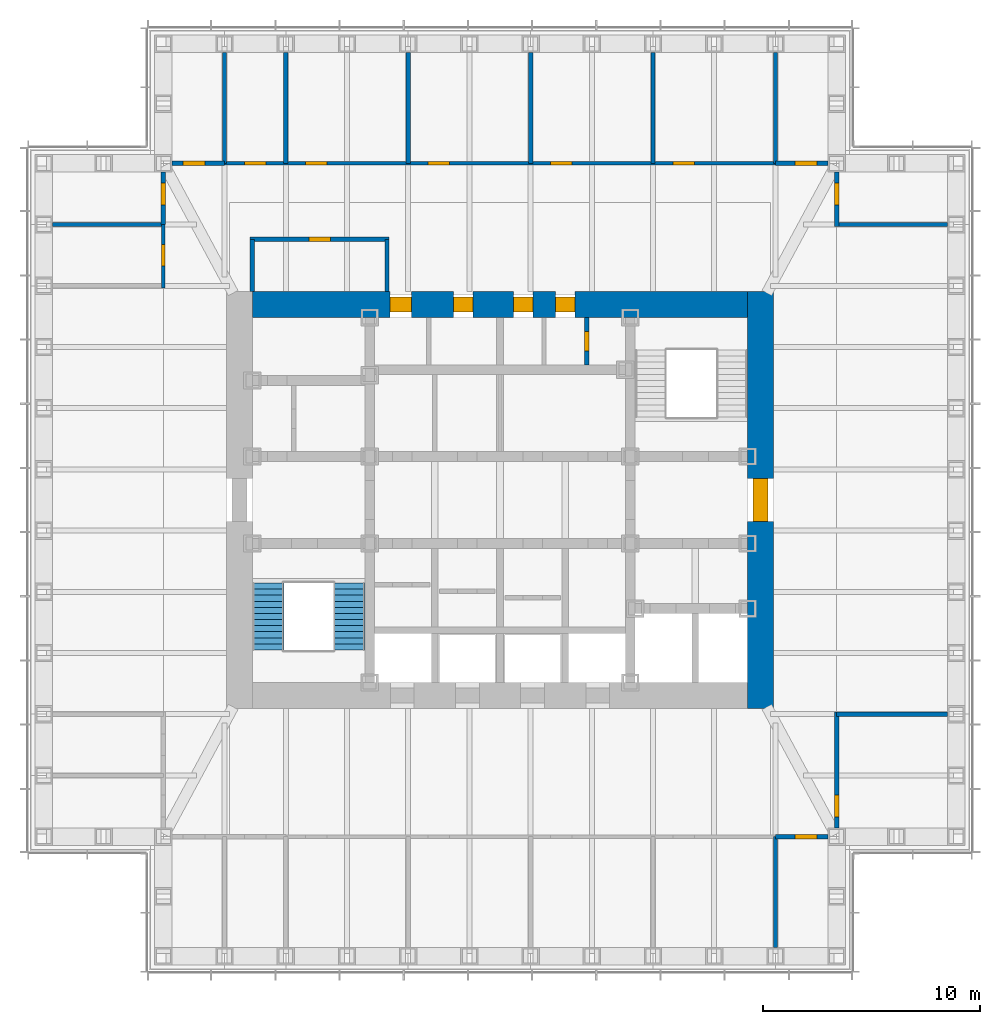
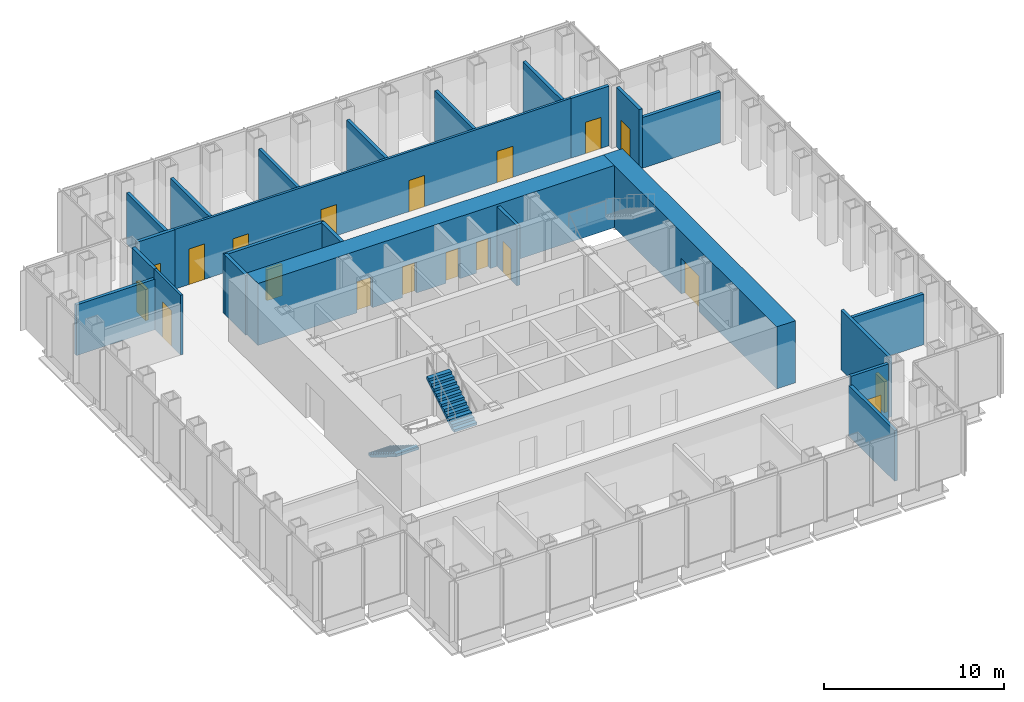
# One storey, part 10 of 17: 24 walls, 19 doors, 2 stair flights, 19 openings, 1 element without a shape of its own.
"""IFC4 building model written with IfcOpenShell, lengths in metres."""

from ifc_helpers import new_model, si_unit, direction, frame, frame_2d, origin, place, context, subcontext, project, spatial, polyline, rectangle, outline, extrude, material, layer, layer_set, type_object, element, fill, aggregate, save


model = new_model("IFC4")

# Units and contexts
model_context = context("Model", 3, precision=1e-05, world=origin(), true_north=direction((0.0, 1.0)))
body_context = subcontext(model_context, "Body", "Model", "MODEL_VIEW")
ifc_project = project(units=[si_unit("LENGTHUNIT", "METRE"), si_unit("AREAUNIT", "SQUARE_METRE"), si_unit("VOLUMEUNIT", "CUBIC_METRE"), si_unit("PLANEANGLEUNIT", "RADIAN"), si_unit("MASSUNIT", "GRAM", prefix="KILO")], contexts=[model_context])

# Site, building, storey
site_placement = place(None, origin())
site = spatial("IfcSite", under=ifc_project, at=site_placement, CompositionType="ELEMENT")
building_placement = place(site_placement, origin())
building = spatial("IfcBuilding", under=site, at=building_placement, Name="Daluyong Arena Tower", CompositionType="ELEMENT")
storey_placement = place(building_placement, frame((0.0, 0.0, 223.300048828125)))
storey = spatial("IfcBuildingStorey", under=building, at=storey_placement, Name="L50", CompositionType="ELEMENT", Elevation=223.300048828125)

# Wall, opening, door
ifc_material_1 = material(Name="Concrete fc' 60 MPa", Category="concrete")
ifc_layer_1 = layer(ifc_material_1, 1.199951171875)
ifc_layer_set_1 = layer_set([ifc_layer_1], Name="Concrete fc' 60 MPa")
wall_type_1 = type_object("IfcWallType", Name="Core wall 1200", PredefinedType="SHEAR", material=ifc_layer_set_1)
wall_1_placement = place(storey_placement, frame((68.0, 70.39990234375, 0.0), z_axis=(0.0, 0.0, 1.0), x_axis=(0.0, 1.0, 0.0)))
wall_1 = element("IfcWall", 1, at=wall_1_placement, inside=storey, type_object=wall_type_1, Name="core wall at L50", PredefinedType="SHEAR", context=body_context, shape_type="SweptSolid", body=[
    extrude(rectangle(XDim=19.2001953125, YDim=1.199951171875, at=frame_2d((9.60009765625, 0.0))), origin(), (0.0, 0.0, 1.0), 4.199951171875),
])
opening_1_placement = place(wall_1_placement, frame((8.60009765625, 0.0, 0.0)))
opening_1 = element("IfcOpeningElement", 2, at=opening_1_placement, cuts=wall_1, Name="Opening 50023", PredefinedType="OPENING", context=body_context, shape_type="SweptSolid", body=[
    extrude(rectangle(XDim=2.0, YDim=2.39990234375, at=frame_2d((1.0, 1.199951171875))), frame((0.0, 0.60986328125, 0.0), z_axis=(0.0, -1.0, 0.0), x_axis=(1.0, 0.0, 0.0)), (0.0, 0.0, 1.0), 1.219970703125),
])
ifc_material_2 = material(Name="Steel door, fire rated", Category="steel")
door_type_1 = type_object("IfcDoorType", Name="Core lobby double door 2000", OperationType="DOUBLE_DOOR_SINGLE_SWING", PredefinedType="DOOR", material=ifc_material_2)
door_1_placement = place(opening_1_placement, origin())
door_1 = element("IfcDoor", 3, at=door_1_placement, inside=storey, type_object=door_type_1, Name="core lobby door east 50023", OperationType="DOUBLE_DOOR_SINGLE_SWING", OverallHeight=2.39990234375, OverallWidth=2.0, PredefinedType="DOOR", context=body_context, shape_type="SweptSolid", body=[
    extrude(rectangle(XDim=2.0, YDim=2.39990234375, at=frame_2d((1.0, 1.199951171875))), frame((0.0, 0.35009765625, 0.0), z_axis=(0.0, -1.0, 0.0), x_axis=(1.0, 0.0, 0.0)), (0.0, 0.0, 1.0), 0.699951171875),
])
fill(opening_1, door_1)

# Wall, openings, doors
wall_2_placement = place(storey_placement, frame((44.60009765625, 89.0, 0.0), z_axis=(0.0, 0.0, 1.0), x_axis=(1.0, 0.0, 0.0)))
wall_2 = element("IfcWall", 4, at=wall_2_placement, inside=storey, type_object=wall_type_1, Name="core wall at L50", PredefinedType="SHEAR", context=body_context, shape_type="SweptSolid", body=[
    extrude(rectangle(XDim=22.7998046875, YDim=1.199951171875, at=frame_2d((11.39990234375, 0.0))), origin(), (0.0, 0.0, 1.0), 4.199951171875),
])
opening_2_placement = place(wall_2_placement, frame((6.324951171875, 0.0, 0.0)))
opening_2 = element("IfcOpeningElement", 5, at=opening_2_placement, cuts=wall_2, Name="Opening 50004", PredefinedType="OPENING", context=body_context, shape_type="SweptSolid", body=[
    extrude(rectangle(XDim=1.0, YDim=2.10009765625, at=frame_2d((0.5, 1.050048828125))), frame((0.0, 0.60986328125, 0.0), z_axis=(0.0, -1.0, 0.0), x_axis=(1.0, 0.0, 0.0)), (0.0, 0.0, 1.0), 1.219970703125),
])
opening_3_placement = place(wall_2_placement, frame((9.25, 0.0, 0.0)))
opening_3 = element("IfcOpeningElement", 6, at=opening_3_placement, cuts=wall_2, Name="Opening 50005", PredefinedType="OPENING", context=body_context, shape_type="SweptSolid", body=[
    extrude(rectangle(XDim=0.89990234375, YDim=2.10009765625, at=frame_2d((0.449951171875, 1.050048828125))), frame((0.0, 0.60986328125, 0.0), z_axis=(0.0, -1.0, 0.0), x_axis=(1.0, 0.0, 0.0)), (0.0, 0.0, 1.0), 1.219970703125),
])
opening_4_placement = place(wall_2_placement, frame((12.02490234375, 0.0, 0.0)))
opening_4 = element("IfcOpeningElement", 7, at=opening_4_placement, cuts=wall_2, Name="Opening 50006", PredefinedType="OPENING", context=body_context, shape_type="SweptSolid", body=[
    extrude(rectangle(XDim=0.89990234375, YDim=2.10009765625, at=frame_2d((0.449951171875, 1.050048828125))), frame((0.0, 0.60986328125, 0.0), z_axis=(0.0, -1.0, 0.0), x_axis=(1.0, 0.0, 0.0)), (0.0, 0.0, 1.0), 1.219970703125),
])
opening_5_placement = place(wall_2_placement, frame((13.96240234375, 0.0, 0.0)))
opening_5 = element("IfcOpeningElement", 8, at=opening_5_placement, cuts=wall_2, Name="Opening 50007", PredefinedType="OPENING", context=body_context, shape_type="SweptSolid", body=[
    extrude(rectangle(XDim=0.89990234375, YDim=2.10009765625, at=frame_2d((0.449951171875, 1.050048828125))), frame((0.0, 0.60986328125, 0.0), z_axis=(0.0, -1.0, 0.0), x_axis=(1.0, 0.0, 0.0)), (0.0, 0.0, 1.0), 1.219970703125),
])
ifc_material_3 = material(Name="Timber door", Category="wood")
door_type_2 = type_object("IfcDoorType", Name="Accessible toilet door 1000", OperationType="SINGLE_SWING_LEFT", PredefinedType="DOOR", material=ifc_material_3)
door_2_placement = place(opening_2_placement, origin())
door_2 = element("IfcDoor", 9, at=door_2_placement, inside=storey, type_object=door_type_2, Name="accessible toilet door 50004", OperationType="SINGLE_SWING_LEFT", OverallHeight=2.10009765625, OverallWidth=1.0, PredefinedType="DOOR", context=body_context, shape_type="SweptSolid", body=[
    extrude(rectangle(XDim=1.0, YDim=2.10009765625, at=frame_2d((0.5, 1.050048828125))), frame((0.0, 0.35009765625, 0.0), z_axis=(0.0, -1.0, 0.0), x_axis=(1.0, 0.0, 0.0)), (0.0, 0.0, 1.0), 0.699951171875),
])
fill(opening_2, door_2)
ifc_material_4 = material(Name="Steel door, fire rated", Category="steel")
door_type_3 = type_object("IfcDoorType", Name="Core room door 900", OperationType="SINGLE_SWING_LEFT", PredefinedType="DOOR", material=ifc_material_4)
door_3_placement = place(opening_4_placement, origin())
door_3 = element("IfcDoor", 10, at=door_3_placement, inside=storey, type_object=door_type_3, Name="staff pantry door 50006", OperationType="SINGLE_SWING_LEFT", OverallHeight=2.10009765625, OverallWidth=0.89990234375, PredefinedType="DOOR", context=body_context, shape_type="SweptSolid", body=[
    extrude(rectangle(XDim=0.89990234375, YDim=2.10009765625, at=frame_2d((0.449951171875, 1.050048828125))), frame((0.0, 0.35009765625, 0.0), z_axis=(0.0, -1.0, 0.0), x_axis=(1.0, 0.0, 0.0)), (0.0, 0.0, 1.0), 0.699951171875),
])
fill(opening_4, door_3)
ifc_material_5 = material(Name="Steel door, fire rated", Category="steel")
door_type_4 = type_object("IfcDoorType", Name="Core store door 900", OperationType="SINGLE_SWING_LEFT", PredefinedType="DOOR", material=ifc_material_5)
door_4_placement = place(opening_3_placement, origin())
door_4 = element("IfcDoor", 11, at=door_4_placement, inside=storey, type_object=door_type_4, Name="facilities store door 50005", OperationType="SINGLE_SWING_LEFT", OverallHeight=2.10009765625, OverallWidth=0.89990234375, PredefinedType="DOOR", context=body_context, shape_type="SweptSolid", body=[
    extrude(rectangle(XDim=0.89990234375, YDim=2.10009765625, at=frame_2d((0.449951171875, 1.050048828125))), frame((0.0, 0.35009765625, 0.0), z_axis=(0.0, -1.0, 0.0), x_axis=(1.0, 0.0, 0.0)), (0.0, 0.0, 1.0), 0.699951171875),
])
fill(opening_3, door_4)
ifc_material_6 = material(Name="Steel door, fire rated", Category="steel")
door_type_5 = type_object("IfcDoorType", Name="Plant room door 900", OperationType="SINGLE_SWING_LEFT", PredefinedType="DOOR", material=ifc_material_6)
door_5_placement = place(opening_5_placement, origin())
door_5 = element("IfcDoor", 12, at=door_5_placement, inside=storey, type_object=door_type_5, Name="comms room door 50007", OperationType="SINGLE_SWING_LEFT", OverallHeight=2.10009765625, OverallWidth=0.89990234375, PredefinedType="DOOR", context=body_context, shape_type="SweptSolid", body=[
    extrude(rectangle(XDim=0.89990234375, YDim=2.10009765625, at=frame_2d((0.449951171875, 1.050048828125))), frame((0.0, 0.35009765625, 0.0), z_axis=(0.0, -1.0, 0.0), x_axis=(1.0, 0.0, 0.0)), (0.0, 0.0, 1.0), 0.699951171875),
])
fill(opening_5, door_5)

# Wall, opening, door
ifc_material_7 = material(Name="Concrete block partition, fire rated", Category="concrete")
ifc_layer_2 = layer(ifc_material_7, 0.199951171875)
ifc_layer_set_2 = layer_set([ifc_layer_2], Name="Concrete block partition, fire rated")
wall_type_2 = type_object("IfcWallType", Name="Fire-rated partition 200", PredefinedType="PARTITIONING", material=ifc_layer_set_2)
wall_3_placement = place(storey_placement, frame((60.0, 86.22509765625, 0.0), z_axis=(0.0, 0.0, 1.0), x_axis=(0.0, 1.0, 0.0)))
wall_3 = element("IfcWall", 13, at=wall_3_placement, inside=storey, type_object=wall_type_2, Name="electrical riser enclosure at L50", PredefinedType="PARTITIONING", context=body_context, shape_type="SweptSolid", body=[
    extrude(rectangle(XDim=2.1748046875, YDim=0.199951171875, at=frame_2d((1.08740234375, 0.0))), origin(), (0.0, 0.0, 1.0), 4.0400390625),
])
opening_6_placement = place(wall_3_placement, frame((0.637451171875, 0.0, 0.0)))
opening_6 = element("IfcOpeningElement", 14, at=opening_6_placement, cuts=wall_3, Name="Opening 50008", PredefinedType="OPENING", context=body_context, shape_type="SweptSolid", body=[
    extrude(rectangle(XDim=0.89990234375, YDim=2.10009765625, at=frame_2d((0.449951171875, 1.050048828125))), frame((0.0, 0.10986328125, 0.0), z_axis=(0.0, -1.0, 0.0), x_axis=(1.0, 0.0, 0.0)), (0.0, 0.0, 1.0), 0.219970703125),
])
ifc_material_8 = material(Name="Steel door, fire rated", Category="steel")
door_type_6 = type_object("IfcDoorType", Name="Riser door 900", OperationType="SINGLE_SWING_LEFT", PredefinedType="DOOR", material=ifc_material_8)
door_6_placement = place(opening_6_placement, origin())
door_6 = element("IfcDoor", 15, at=door_6_placement, inside=storey, type_object=door_type_6, Name="riser door 50008", OperationType="SINGLE_SWING_LEFT", OverallHeight=2.10009765625, OverallWidth=0.89990234375, PredefinedType="DOOR", context=body_context, shape_type="SweptSolid", body=[
    extrude(rectangle(XDim=0.89990234375, YDim=2.10009765625, at=frame_2d((0.449951171875, 1.050048828125))), frame((0.0, 0.099609375, 0.0), z_axis=(0.0, -1.0, 0.0), x_axis=(1.0, 0.0, 0.0)), (0.0, 0.0, 1.0), 0.199462890625),
])
fill(opening_6, door_6)

# Wall, openings, doors
ifc_material_9 = material(Name="Glazed aluminium partition", Category="aluminium")
ifc_layer_3 = layer(ifc_material_9, 0.14990234375)
ifc_layer_set_3 = layer_set([ifc_layer_3], Name="Glazed aluminium partition")
wall_type_3 = type_object("IfcWallType", Name="Glazed partition 150", PredefinedType="PARTITIONING", material=ifc_layer_set_3)
wall_4_placement = place(storey_placement, frame((43.318115234375, 95.5, 0.0), z_axis=(0.0, 0.0, 1.0), x_axis=(1.0, 0.0, 0.0)))
wall_4 = element("IfcWall", 16, at=wall_4_placement, inside=storey, type_object=wall_type_3, Name="glazed partition at L50", PredefinedType="PARTITIONING", context=body_context, shape_type="SweptSolid", body=[
    extrude(rectangle(XDim=25.36376953125, YDim=0.14990234375, at=frame_2d((12.681884765625, 0.0))), origin(), (0.0, 0.0, 1.0), 4.0400390625),
])
opening_7_placement = place(wall_4_placement, frame((0.9091796875, 0.0, 0.0)))
opening_7 = element("IfcOpeningElement", 17, at=opening_7_placement, cuts=wall_4, Name="Opening 50043", PredefinedType="OPENING", context=body_context, shape_type="SweptSolid", body=[
    extrude(rectangle(XDim=1.0, YDim=2.39990234375, at=frame_2d((0.5, 1.199951171875))), frame((0.0, 0.0849609375, 0.0), z_axis=(0.0, -1.0, 0.0), x_axis=(1.0, 0.0, 0.0)), (0.0, 0.0, 1.0), 0.169921875),
])
opening_8_placement = place(wall_4_placement, frame((3.727294921875, 0.0, 0.0)))
opening_8 = element("IfcOpeningElement", 18, at=opening_8_placement, cuts=wall_4, Name="Opening 50044", PredefinedType="OPENING", context=body_context, shape_type="SweptSolid", body=[
    extrude(rectangle(XDim=1.0, YDim=2.10009765625, at=frame_2d((0.5, 1.050048828125))), frame((0.0, 0.0849609375, 0.0), z_axis=(0.0, -1.0, 0.0), x_axis=(1.0, 0.0, 0.0)), (0.0, 0.0, 1.0), 0.169921875),
])
opening_9_placement = place(wall_4_placement, frame((9.363525390625, 0.0, 0.0)))
opening_9 = element("IfcOpeningElement", 19, at=opening_9_placement, cuts=wall_4, Name="Opening 50045", PredefinedType="OPENING", context=body_context, shape_type="SweptSolid", body=[
    extrude(rectangle(XDim=1.0, YDim=2.10009765625, at=frame_2d((0.5, 1.050048828125))), frame((0.0, 0.0849609375, 0.0), z_axis=(0.0, -1.0, 0.0), x_axis=(1.0, 0.0, 0.0)), (0.0, 0.0, 1.0), 0.169921875),
])
opening_10_placement = place(wall_4_placement, frame((15.0, 0.0, 0.0)))
opening_10 = element("IfcOpeningElement", 20, at=opening_10_placement, cuts=wall_4, Name="Opening 50046", PredefinedType="OPENING", context=body_context, shape_type="SweptSolid", body=[
    extrude(rectangle(XDim=1.0, YDim=2.10009765625, at=frame_2d((0.5, 1.050048828125))), frame((0.0, 0.0849609375, 0.0), z_axis=(0.0, -1.0, 0.0), x_axis=(1.0, 0.0, 0.0)), (0.0, 0.0, 1.0), 0.169921875),
])
opening_11_placement = place(wall_4_placement, frame((20.636474609375, 0.0, 0.0)))
opening_11 = element("IfcOpeningElement", 21, at=opening_11_placement, cuts=wall_4, Name="Opening 50047", PredefinedType="OPENING", context=body_context, shape_type="SweptSolid", body=[
    extrude(rectangle(XDim=1.0, YDim=2.10009765625, at=frame_2d((0.5, 1.050048828125))), frame((0.0, 0.0849609375, 0.0), z_axis=(0.0, -1.0, 0.0), x_axis=(1.0, 0.0, 0.0)), (0.0, 0.0, 1.0), 0.169921875),
])
ifc_material_10 = material(Name="Glazed aluminium door", Category="aluminium")
door_type_7 = type_object("IfcDoorType", Name="Meeting room glazed door 1000", OperationType="SINGLE_SWING_RIGHT", PredefinedType="DOOR", material=ifc_material_10)
door_7_placement = place(opening_7_placement, origin())
door_7 = element("IfcDoor", 22, at=door_7_placement, inside=storey, type_object=door_type_7, Name="focus room door 50043", OperationType="SINGLE_SWING_RIGHT", OverallHeight=2.39990234375, OverallWidth=1.0, PredefinedType="DOOR", context=body_context, shape_type="SweptSolid", body=[
    extrude(rectangle(XDim=1.0, YDim=2.39990234375, at=frame_2d((0.5, 1.199951171875))), frame((0.0, 0.07470703125, 0.0), z_axis=(0.0, -1.0, 0.0), x_axis=(1.0, 0.0, 0.0)), (0.0, 0.0, 1.0), 0.1494140625),
])
fill(opening_7, door_7)
ifc_material_11 = material(Name="Timber door", Category="wood")
door_type_8 = type_object("IfcDoorType", Name="Room door 1000", OperationType="SINGLE_SWING_LEFT", PredefinedType="DOOR", material=ifc_material_11)
door_8_placement = place(opening_8_placement, origin())
door_8 = element("IfcDoor", 23, at=door_8_placement, inside=storey, type_object=door_type_8, Name="office door 50044", OperationType="SINGLE_SWING_LEFT", OverallHeight=2.10009765625, OverallWidth=1.0, PredefinedType="DOOR", context=body_context, shape_type="SweptSolid", body=[
    extrude(rectangle(XDim=1.0, YDim=2.10009765625, at=frame_2d((0.5, 1.050048828125))), frame((0.0, 0.07470703125, 0.0), z_axis=(0.0, -1.0, 0.0), x_axis=(1.0, 0.0, 0.0)), (0.0, 0.0, 1.0), 0.1494140625),
])
fill(opening_8, door_8)
door_9_placement = place(opening_9_placement, origin())
door_9 = element("IfcDoor", 24, at=door_9_placement, inside=storey, type_object=door_type_8, Name="office door 50045", OperationType="SINGLE_SWING_LEFT", OverallHeight=2.10009765625, OverallWidth=1.0, PredefinedType="DOOR", context=body_context, shape_type="SweptSolid", body=[
    extrude(rectangle(XDim=1.0, YDim=2.10009765625, at=frame_2d((0.5, 1.050048828125))), frame((0.0, 0.07470703125, 0.0), z_axis=(0.0, -1.0, 0.0), x_axis=(1.0, 0.0, 0.0)), (0.0, 0.0, 1.0), 0.1494140625),
])
fill(opening_9, door_9)
door_10_placement = place(opening_10_placement, origin())
door_10 = element("IfcDoor", 25, at=door_10_placement, inside=storey, type_object=door_type_8, Name="office door 50046", OperationType="SINGLE_SWING_LEFT", OverallHeight=2.10009765625, OverallWidth=1.0, PredefinedType="DOOR", context=body_context, shape_type="SweptSolid", body=[
    extrude(rectangle(XDim=1.0, YDim=2.10009765625, at=frame_2d((0.5, 1.050048828125))), frame((0.0, 0.07470703125, 0.0), z_axis=(0.0, -1.0, 0.0), x_axis=(1.0, 0.0, 0.0)), (0.0, 0.0, 1.0), 0.1494140625),
])
fill(opening_10, door_10)
door_11_placement = place(opening_11_placement, origin())
door_11 = element("IfcDoor", 26, at=door_11_placement, inside=storey, type_object=door_type_8, Name="office door 50047", OperationType="SINGLE_SWING_LEFT", OverallHeight=2.10009765625, OverallWidth=1.0, PredefinedType="DOOR", context=body_context, shape_type="SweptSolid", body=[
    extrude(rectangle(XDim=1.0, YDim=2.10009765625, at=frame_2d((0.5, 1.050048828125))), frame((0.0, 0.07470703125, 0.0), z_axis=(0.0, -1.0, 0.0), x_axis=(1.0, 0.0, 0.0)), (0.0, 0.0, 1.0), 0.1494140625),
])
fill(opening_11, door_11)

# Wall, opening, door
wall_5_placement = place(storey_placement, frame((40.5, 89.763671875, 0.0), z_axis=(0.0, 0.0, 1.0), x_axis=(0.0, 1.0, 0.0)))
wall_5 = element("IfcWall", 27, at=wall_5_placement, inside=storey, type_object=wall_type_3, Name="glazed partition at L50", PredefinedType="PARTITIONING", context=body_context, shape_type="SweptSolid", body=[
    extrude(rectangle(XDim=2.918212890625, YDim=0.14990234375, at=frame_2d((1.458984375, 0.0))), origin(), (0.0, 0.0, 1.0), 4.0400390625),
])
opening_12_placement = place(wall_5_placement, frame((1.009033203125, 0.0, 0.0)))
opening_12 = element("IfcOpeningElement", 28, at=opening_12_placement, cuts=wall_5, Name="Opening 50051", PredefinedType="OPENING", context=body_context, shape_type="SweptSolid", body=[
    extrude(rectangle(XDim=1.0, YDim=2.39990234375, at=frame_2d((0.5, 1.199951171875))), frame((0.0, 0.0849609375, 0.0), z_axis=(0.0, -1.0, 0.0), x_axis=(1.0, 0.0, 0.0)), (0.0, 0.0, 1.0), 0.169921875),
])
door_12_placement = place(opening_12_placement, origin())
door_12 = element("IfcDoor", 29, at=door_12_placement, inside=storey, type_object=door_type_7, Name="focus room door 50051", OperationType="SINGLE_SWING_RIGHT", OverallHeight=2.39990234375, OverallWidth=1.0, PredefinedType="DOOR", context=body_context, shape_type="SweptSolid", body=[
    extrude(rectangle(XDim=1.0, YDim=2.39990234375, at=frame_2d((0.5, 1.199951171875))), frame((0.0, 0.07470703125, 0.0), z_axis=(0.0, -1.0, 0.0), x_axis=(1.0, 0.0, 0.0)), (0.0, 0.0, 1.0), 0.1494140625),
])
fill(opening_12, door_12)

# Walls
ifc_material_12 = material(Name="Concrete block partition", Category="concrete")
ifc_layer_4 = layer(ifc_material_12, 0.199951171875)
ifc_layer_set_4 = layer_set([ifc_layer_4], Name="Concrete block partition")
wall_type_4 = type_object("IfcWallType", Name="Partition 200", PredefinedType="PARTITIONING", material=ifc_layer_set_4)
for number, where, z_axis, x_axis, name in (
    (30, (68.681884765625, 59.39990234375, 0.0), (0.0, 0.0, 1.0), (0.0, 1.0, 0.0), "partition at L50"),
    (31, (71.5, 70.136474609375, 0.0), (0.0, 0.0, 1.0), (1.0, 0.0, 0.0), "partition at L50"),
    (32, (71.5, 92.681884765625, 0.0), (0.0, 0.0, 1.0), (1.0, 0.0, 0.0), "partition at L50"),
    (33, (43.318115234375, 95.5, 0.0), (0.0, 0.0, 1.0), (0.0, 1.0, 0.0), "partition at L50"),
    (34, (46.136474609375, 95.5, 0.0), (0.0, 0.0, 1.0), (0.0, 1.0, 0.0), "partition at L50"),
    (35, (51.772705078125, 95.5, 0.0), (0.0, 0.0, 1.0), (0.0, 1.0, 0.0), "partition at L50"),
    (36, (57.4091796875, 95.5, 0.0), (0.0, 0.0, 1.0), (0.0, 1.0, 0.0), "partition at L50"),
    (37, (63.04541015625, 95.5, 0.0), (0.0, 0.0, 1.0), (0.0, 1.0, 0.0), "partition at L50"),
    (38, (68.681884765625, 95.5, 0.0), (0.0, 0.0, 1.0), (0.0, 1.0, 0.0), "partition at L50"),
    (39, (35.39990234375, 92.681884765625, 0.0), (0.0, 0.0, 1.0), (1.0, 0.0, 0.0), "partition at L50"),
):
    element("IfcWall", number, at=place(storey_placement, frame(where, z_axis=z_axis, x_axis=x_axis)), inside=storey, type_object=wall_type_4, Name=name, PredefinedType="PARTITIONING", context=body_context, shape_type="SweptSolid", body=[
        extrude(rectangle(XDim=5.10009765625, YDim=0.199951171875, at=frame_2d((2.550048828125, 0.0))), origin(), (0.0, 0.0, 1.0), 3.427734375),
    ])
for number, where, z_axis, x_axis, name in (
    (40, (44.60009765625, 89.60009765625, 0.0), (0.0, 0.0, 1.0), (0.0, 1.0, 0.0), "partition at L50"),
    (41, (50.800048828125, 89.60009765625, 0.0), (0.0, 0.0, 1.0), (0.0, 1.0, 0.0), "partition at L50"),
):
    element("IfcWall", number, at=place(storey_placement, frame(where, z_axis=z_axis, x_axis=x_axis)), inside=storey, type_object=wall_type_4, Name=name, PredefinedType="PARTITIONING", context=body_context, shape_type="SweptSolid", body=[
        extrude(rectangle(XDim=2.39990234375, YDim=0.199951171875, at=frame_2d((1.199951171875, 0.0))), origin(), (0.0, 0.0, 1.0), 4.0400390625),
    ])

# Wall, opening, door
wall_6_placement = place(storey_placement, frame((68.681884765625, 64.5, 0.0), z_axis=(0.0, 0.0, 1.0), x_axis=(1.0, 0.0, 0.0)))
wall_6 = element("IfcWall", 42, at=wall_6_placement, inside=storey, type_object=wall_type_4, Name="partition at L50", PredefinedType="PARTITIONING", context=body_context, shape_type="SweptSolid", body=[
    extrude(rectangle(XDim=2.418212890625, YDim=0.199951171875, at=frame_2d((1.208984375, 0.0))), origin(), (0.0, 0.0, 1.0), 4.0400390625),
])
opening_13_placement = place(wall_6_placement, frame((0.9091796875, 0.0, 0.0)))
opening_13 = element("IfcOpeningElement", 43, at=opening_13_placement, cuts=wall_6, Name="Opening 50039", PredefinedType="OPENING", context=body_context, shape_type="SweptSolid", body=[
    extrude(rectangle(XDim=1.0, YDim=2.10009765625, at=frame_2d((0.5, 1.050048828125))), frame((0.0, 0.10986328125, 0.0), z_axis=(0.0, -1.0, 0.0), x_axis=(1.0, 0.0, 0.0)), (0.0, 0.0, 1.0), 0.219970703125),
])
door_13_placement = place(opening_13_placement, origin())
door_13 = element("IfcDoor", 44, at=door_13_placement, inside=storey, type_object=door_type_8, Name="quiet room door 50039", OperationType="SINGLE_SWING_LEFT", OverallHeight=2.10009765625, OverallWidth=1.0, PredefinedType="DOOR", context=body_context, shape_type="SweptSolid", body=[
    extrude(rectangle(XDim=1.0, YDim=2.10009765625, at=frame_2d((0.5, 1.050048828125))), frame((0.0, 0.099609375, 0.0), z_axis=(0.0, -1.0, 0.0), x_axis=(1.0, 0.0, 0.0)), (0.0, 0.0, 1.0), 0.199462890625),
])
fill(opening_13, door_13)

wall_7_placement = place(storey_placement, frame((44.5, 92.0, 0.0), z_axis=(0.0, 0.0, 1.0), x_axis=(1.0, 0.0, 0.0)))
wall_7 = element("IfcWall", 45, at=wall_7_placement, inside=storey, type_object=wall_type_4, Name="partition at L50", PredefinedType="PARTITIONING", context=body_context, shape_type="SweptSolid", body=[
    extrude(rectangle(XDim=6.39990234375, YDim=0.199951171875, at=frame_2d((3.199951171875, 0.0))), origin(), (0.0, 0.0, 1.0), 4.0400390625),
])
opening_14_placement = place(wall_7_placement, frame((2.699951171875, 0.0, 0.0)))
opening_14 = element("IfcOpeningElement", 46, at=opening_14_placement, cuts=wall_7, Name="Opening 50053", PredefinedType="OPENING", context=body_context, shape_type="SweptSolid", body=[
    extrude(rectangle(XDim=1.0, YDim=2.10009765625, at=frame_2d((0.5, 1.050048828125))), frame((0.0, 0.10986328125, 0.0), z_axis=(0.0, -1.0, 0.0), x_axis=(1.0, 0.0, 0.0)), (0.0, 0.0, 1.0), 0.219970703125),
])
door_14_placement = place(opening_14_placement, origin())
door_14 = element("IfcDoor", 47, at=door_14_placement, inside=storey, type_object=door_type_8, Name="pantry door 50053", OperationType="SINGLE_SWING_LEFT", OverallHeight=2.10009765625, OverallWidth=1.0, PredefinedType="DOOR", context=body_context, shape_type="SweptSolid", body=[
    extrude(rectangle(XDim=1.0, YDim=2.10009765625, at=frame_2d((0.5, 1.050048828125))), frame((0.0, 0.099609375, 0.0), z_axis=(0.0, -1.0, 0.0), x_axis=(1.0, 0.0, 0.0)), (0.0, 0.0, 1.0), 0.199462890625),
])
fill(opening_14, door_14)

wall_8_placement = place(storey_placement, frame((40.89990234375, 95.5, 0.0), z_axis=(0.0, 0.0, 1.0), x_axis=(1.0, 0.0, 0.0)))
wall_8 = element("IfcWall", 48, at=wall_8_placement, inside=storey, type_object=wall_type_4, Name="partition at L50", PredefinedType="PARTITIONING", context=body_context, shape_type="SweptSolid", body=[
    extrude(rectangle(XDim=2.418212890625, YDim=0.199951171875, at=frame_2d((1.208984375, 0.0))), origin(), (0.0, 0.0, 1.0), 4.0400390625),
])
opening_15_placement = place(wall_8_placement, frame((0.509033203125, 0.0, 0.0)))
opening_15 = element("IfcOpeningElement", 49, at=opening_15_placement, cuts=wall_8, Name="Opening 50042", PredefinedType="OPENING", context=body_context, shape_type="SweptSolid", body=[
    extrude(rectangle(XDim=1.0, YDim=2.10009765625, at=frame_2d((0.5, 1.050048828125))), frame((0.0, 0.10986328125, 0.0), z_axis=(0.0, -1.0, 0.0), x_axis=(1.0, 0.0, 0.0)), (0.0, 0.0, 1.0), 0.219970703125),
])
door_15_placement = place(opening_15_placement, origin())
door_15 = element("IfcDoor", 50, at=door_15_placement, inside=storey, type_object=door_type_8, Name="quiet room door 50042", OperationType="SINGLE_SWING_LEFT", OverallHeight=2.10009765625, OverallWidth=1.0, PredefinedType="DOOR", context=body_context, shape_type="SweptSolid", body=[
    extrude(rectangle(XDim=1.0, YDim=2.10009765625, at=frame_2d((0.5, 1.050048828125))), frame((0.0, 0.099609375, 0.0), z_axis=(0.0, -1.0, 0.0), x_axis=(1.0, 0.0, 0.0)), (0.0, 0.0, 1.0), 0.199462890625),
])
fill(opening_15, door_15)

wall_9_placement = place(storey_placement, frame((68.681884765625, 95.5, 0.0), z_axis=(0.0, 0.0, 1.0), x_axis=(1.0, 0.0, 0.0)))
wall_9 = element("IfcWall", 51, at=wall_9_placement, inside=storey, type_object=wall_type_4, Name="partition at L50", PredefinedType="PARTITIONING", context=body_context, shape_type="SweptSolid", body=[
    extrude(rectangle(XDim=2.418212890625, YDim=0.199951171875, at=frame_2d((1.208984375, 0.0))), origin(), (0.0, 0.0, 1.0), 4.0400390625),
])
opening_16_placement = place(wall_9_placement, frame((0.9091796875, 0.0, 0.0)))
opening_16 = element("IfcOpeningElement", 52, at=opening_16_placement, cuts=wall_9, Name="Opening 50048", PredefinedType="OPENING", context=body_context, shape_type="SweptSolid", body=[
    extrude(rectangle(XDim=1.0, YDim=2.10009765625, at=frame_2d((0.5, 1.050048828125))), frame((0.0, 0.10986328125, 0.0), z_axis=(0.0, -1.0, 0.0), x_axis=(1.0, 0.0, 0.0)), (0.0, 0.0, 1.0), 0.219970703125),
])
door_16_placement = place(opening_16_placement, origin())
door_16 = element("IfcDoor", 53, at=door_16_placement, inside=storey, type_object=door_type_8, Name="quiet room door 50048", OperationType="SINGLE_SWING_LEFT", OverallHeight=2.10009765625, OverallWidth=1.0, PredefinedType="DOOR", context=body_context, shape_type="SweptSolid", body=[
    extrude(rectangle(XDim=1.0, YDim=2.10009765625, at=frame_2d((0.5, 1.050048828125))), frame((0.0, 0.099609375, 0.0), z_axis=(0.0, -1.0, 0.0), x_axis=(1.0, 0.0, 0.0)), (0.0, 0.0, 1.0), 0.199462890625),
])
fill(opening_16, door_16)

wall_10_placement = place(storey_placement, frame((40.5, 92.681884765625, 0.0), z_axis=(0.0, 0.0, 1.0), x_axis=(0.0, 1.0, 0.0)))
wall_10 = element("IfcWall", 54, at=wall_10_placement, inside=storey, type_object=wall_type_4, Name="partition at L50", PredefinedType="PARTITIONING", context=body_context, shape_type="SweptSolid", body=[
    extrude(rectangle(XDim=2.418212890625, YDim=0.199951171875, at=frame_2d((1.208984375, 0.0))), origin(), (0.0, 0.0, 1.0), 4.0400390625),
])
opening_17_placement = place(wall_10_placement, frame((0.9091796875, 0.0, 0.0)))
opening_17 = element("IfcOpeningElement", 55, at=opening_17_placement, cuts=wall_10, Name="Opening 50052", PredefinedType="OPENING", context=body_context, shape_type="SweptSolid", body=[
    extrude(rectangle(XDim=1.0, YDim=2.10009765625, at=frame_2d((0.5, 1.050048828125))), frame((0.0, 0.10986328125, 0.0), z_axis=(0.0, -1.0, 0.0), x_axis=(1.0, 0.0, 0.0)), (0.0, 0.0, 1.0), 0.219970703125),
])
door_17_placement = place(opening_17_placement, origin())
door_17 = element("IfcDoor", 56, at=door_17_placement, inside=storey, type_object=door_type_8, Name="quiet room door 50052", OperationType="SINGLE_SWING_LEFT", OverallHeight=2.10009765625, OverallWidth=1.0, PredefinedType="DOOR", context=body_context, shape_type="SweptSolid", body=[
    extrude(rectangle(XDim=1.0, YDim=2.10009765625, at=frame_2d((0.5, 1.050048828125))), frame((0.0, 0.099609375, 0.0), z_axis=(0.0, -1.0, 0.0), x_axis=(1.0, 0.0, 0.0)), (0.0, 0.0, 1.0), 0.199462890625),
])
fill(opening_17, door_17)

wall_11_placement = place(storey_placement, frame((71.5, 64.89990234375, 0.0), z_axis=(0.0, 0.0, 1.0), x_axis=(0.0, 1.0, 0.0)))
wall_11 = element("IfcWall", 57, at=wall_11_placement, inside=storey, type_object=wall_type_4, Name="partition at L50", PredefinedType="PARTITIONING", context=body_context, shape_type="SweptSolid", body=[
    extrude(rectangle(XDim=5.33642578125, YDim=0.199951171875, at=frame_2d((2.668212890625, 0.0))), origin(), (0.0, 0.0, 1.0), 4.0400390625),
])
opening_18_placement = place(wall_11_placement, frame((0.509033203125, 0.0, 0.0)))
opening_18 = element("IfcOpeningElement", 58, at=opening_18_placement, cuts=wall_11, Name="Opening 50040", PredefinedType="OPENING", context=body_context, shape_type="SweptSolid", body=[
    extrude(rectangle(XDim=1.0, YDim=2.10009765625, at=frame_2d((0.5, 1.050048828125))), frame((0.0, 0.10986328125, 0.0), z_axis=(0.0, -1.0, 0.0), x_axis=(1.0, 0.0, 0.0)), (0.0, 0.0, 1.0), 0.219970703125),
])
door_18_placement = place(opening_18_placement, origin())
door_18 = element("IfcDoor", 59, at=door_18_placement, inside=storey, type_object=door_type_8, Name="project room door 50040", OperationType="SINGLE_SWING_LEFT", OverallHeight=2.10009765625, OverallWidth=1.0, PredefinedType="DOOR", context=body_context, shape_type="SweptSolid", body=[
    extrude(rectangle(XDim=1.0, YDim=2.10009765625, at=frame_2d((0.5, 1.050048828125))), frame((0.0, 0.099609375, 0.0), z_axis=(0.0, -1.0, 0.0), x_axis=(1.0, 0.0, 0.0)), (0.0, 0.0, 1.0), 0.199462890625),
])
fill(opening_18, door_18)

wall_12_placement = place(storey_placement, frame((71.5, 92.581787109375, 0.0), z_axis=(0.0, 0.0, 1.0), x_axis=(0.0, 1.0, 0.0)))
wall_12 = element("IfcWall", 60, at=wall_12_placement, inside=storey, type_object=wall_type_4, Name="partition at L50", PredefinedType="PARTITIONING", context=body_context, shape_type="SweptSolid", body=[
    extrude(rectangle(XDim=2.518310546875, YDim=0.199951171875, at=frame_2d((1.25927734375, 0.0))), origin(), (0.0, 0.0, 1.0), 4.0400390625),
])
opening_19_placement = place(wall_12_placement, frame((1.009033203125, 0.0, 0.0)))
opening_19 = element("IfcOpeningElement", 61, at=opening_19_placement, cuts=wall_12, Name="Opening 50041", PredefinedType="OPENING", context=body_context, shape_type="SweptSolid", body=[
    extrude(rectangle(XDim=1.0, YDim=2.10009765625, at=frame_2d((0.5, 1.050048828125))), frame((0.0, 0.10986328125, 0.0), z_axis=(0.0, -1.0, 0.0), x_axis=(1.0, 0.0, 0.0)), (0.0, 0.0, 1.0), 0.219970703125),
])
door_19_placement = place(opening_19_placement, origin())
door_19 = element("IfcDoor", 62, at=door_19_placement, inside=storey, type_object=door_type_8, Name="quiet room door 50041", OperationType="SINGLE_SWING_LEFT", OverallHeight=2.10009765625, OverallWidth=1.0, PredefinedType="DOOR", context=body_context, shape_type="SweptSolid", body=[
    extrude(rectangle(XDim=1.0, YDim=2.10009765625, at=frame_2d((0.5, 1.050048828125))), frame((0.0, 0.099609375, 0.0), z_axis=(0.0, -1.0, 0.0), x_axis=(1.0, 0.0, 0.0)), (0.0, 0.0, 1.0), 0.199462890625),
])
fill(opening_19, door_19)

# Stair, stair flights
ifc_material_13 = material(Name="Concrete fc' 35 MPa", Category="concrete")
stair_type = type_object("IfcStairType", Name="Core exit stair", PredefinedType="HALF_TURN_STAIR", material=ifc_material_13)
stair_placement = place(storey_placement, origin())
stair = element("IfcStair", 63, at=stair_placement, inside=storey, type_object=stair_type, Name="exit stair A L50", PredefinedType="HALF_TURN_STAIR")
ifc_material_14 = material(Name="Concrete fc' 35 MPa", Category="concrete")
stair_flight_type = type_object("IfcStairFlightType", Name="Core stair flight", PredefinedType="STRAIGHT", material=ifc_material_14)
stair_flight_1_placement = place(storey_placement, frame((45.324951171875, 76.175048828125, 0.0), z_axis=(0.0, 0.0, 1.0), x_axis=(0.0, -1.0, 0.0)))
stair_flight_1 = element("IfcStairFlight", 64, at=stair_flight_1_placement, type_object=stair_flight_type, Name="STA flight 1", NumberOfRisers=12, NumberOfTreads=11, PredefinedType="STRAIGHT", RiserHeight=0.175, TreadLength=0.28, context=body_context, shape_type="SweptSolid", body=[
    extrude(outline(polyline([(0.0, 0.0), (0.0, 0.175048828125), (0.280029296875, 0.175048828125), (0.280029296875, 0.35009765625), (0.56005859375, 0.35009765625), (0.56005859375, 0.52490234375), (0.840087890625, 0.52490234375), (0.840087890625, 0.699951171875), (1.1201171875, 0.699951171875), (1.1201171875, 0.875), (1.39990234375, 0.875), (1.39990234375, 1.050048828125), (1.679931640625, 1.050048828125), (1.679931640625, 1.22509765625), (1.9599609375, 1.22509765625), (1.9599609375, 1.39990234375), (2.239990234375, 1.39990234375), (2.239990234375, 1.574951171875), (2.52001953125, 1.574951171875), (2.52001953125, 1.75), (2.800048828125, 1.75), (2.800048828125, 1.925048828125), (3.080078125, 1.925048828125), (3.080078125, 2.10009765625), (3.080078125, 1.748291015625), (0.28271484375, 0.0), (0.0, 0.0)])), frame((0.0, 0.72509765625, 0.0), z_axis=(0.0, -1.0, 0.0), x_axis=(1.0, 0.0, 0.0)), (0.0, 0.0, 1.0), 1.449951171875),
])
stair_flight_2_placement = place(storey_placement, frame((49.050048828125, 73.094970703125, 2.099853515625), z_axis=(0.0, 0.0, 1.0), x_axis=(0.0, 1.0, 0.0)))
stair_flight_2 = element("IfcStairFlight", 65, at=stair_flight_2_placement, type_object=stair_flight_type, Name="STA flight 2", NumberOfRisers=12, NumberOfTreads=11, PredefinedType="STRAIGHT", RiserHeight=0.175, TreadLength=0.28, context=body_context, shape_type="SweptSolid", body=[
    extrude(outline(polyline([(0.0, 0.0), (0.0, 0.175048828125), (0.280029296875, 0.175048828125), (0.280029296875, 0.35009765625), (0.56005859375, 0.35009765625), (0.56005859375, 0.52490234375), (0.840087890625, 0.52490234375), (0.840087890625, 0.699951171875), (1.1201171875, 0.699951171875), (1.1201171875, 0.875), (1.39990234375, 0.875), (1.39990234375, 1.050048828125), (1.679931640625, 1.050048828125), (1.679931640625, 1.22509765625), (1.9599609375, 1.22509765625), (1.9599609375, 1.39990234375), (2.239990234375, 1.39990234375), (2.239990234375, 1.574951171875), (2.52001953125, 1.574951171875), (2.52001953125, 1.75), (2.800048828125, 1.75), (2.800048828125, 1.925048828125), (3.080078125, 1.925048828125), (3.080078125, 2.10009765625), (3.080078125, 1.748291015625), (0.28271484375, 0.0), (0.0, 0.0)])), frame((0.0, 0.72509765625, 0.0), z_axis=(0.0, -1.0, 0.0), x_axis=(1.0, 0.0, 0.0)), (0.0, 0.0, 1.0), 1.449951171875),
])
aggregate(stair, [stair_flight_1, stair_flight_2])

save(model, "model.ifc")
